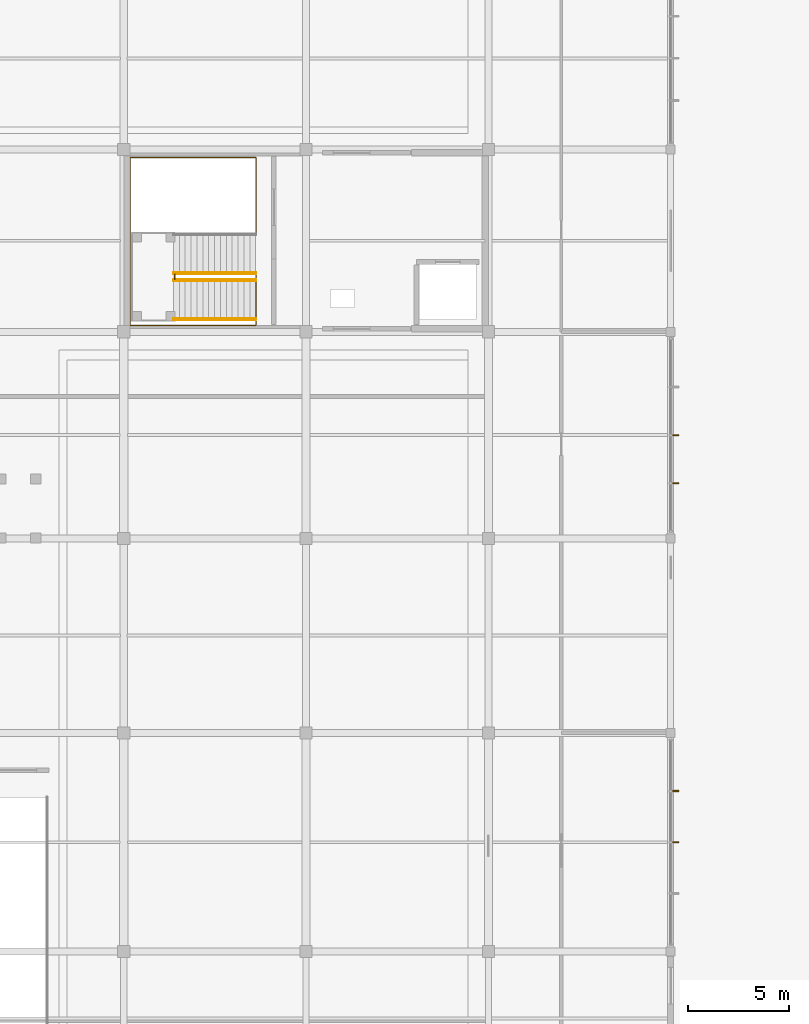
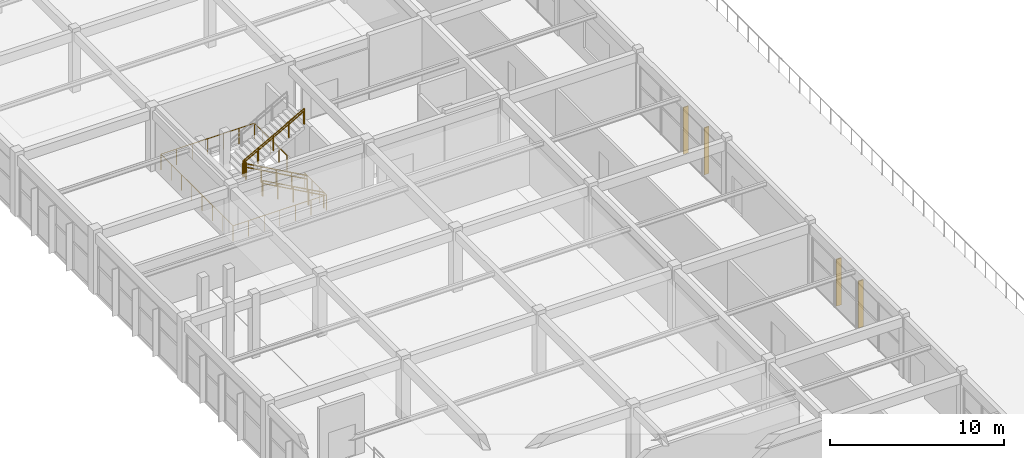
# One storey, part 76 of 89: 8 railings, 4 shading devices.
"""IFC4 building model written with IfcOpenShell, lengths in metres."""

from ifc_helpers import new_model, si_unit, direction, frame, origin, origin_2d, place, context, subcontext, project, spatial, rectangle, circle, extrude, material, type_object, element, save


model = new_model("IFC4")

# Units and contexts
model_context = context("Model", 3, precision=1e-05, world=origin(), true_north=direction((0.0, 1.0)))
body_context = subcontext(model_context, "Body", "Model", "MODEL_VIEW")
ifc_project = project(units=[si_unit("LENGTHUNIT", "METRE"), si_unit("AREAUNIT", "SQUARE_METRE"), si_unit("VOLUMEUNIT", "CUBIC_METRE"), si_unit("PLANEANGLEUNIT", "RADIAN"), si_unit("MASSUNIT", "GRAM", prefix="KILO")], contexts=[model_context])

# Site, building, storey
site_placement = place(None, origin())
site = spatial("IfcSite", under=ifc_project, at=site_placement, CompositionType="ELEMENT")
building_placement = place(site_placement, origin())
building = spatial("IfcBuilding", under=site, at=building_placement, Name="Suirenkawa Promenade Aquatics Centre", CompositionType="ELEMENT")
storey_placement = place(building_placement, frame((0.0, 0.0, 9.60009765625)))
storey = spatial("IfcBuildingStorey", under=building, at=storey_placement, Name="L02", CompositionType="ELEMENT", Elevation=9.60009765625)

# Railings
ifc_material_1 = material(Name="Marine-grade stainless steel Grade 316L", Category="steel")
railing_type_1 = type_object("IfcRailingType", Name="RLT-GUARD-1120", PredefinedType="GUARDRAIL", material=ifc_material_1)
for number, where, name in (
    (1, (15.514892578125, 61.9599609375, 0.0), "Guardrail GRD-01 RL-0081"),
    (2, (15.514892578125, 60.0, 0.0), "Guardrail GRD-01 RL-0083"),
):
    element("IfcRailing", number, at=place(storey_placement, frame(where)), inside=storey, type_object=railing_type_1, Name=name, PredefinedType="GUARDRAIL", context=body_context, shape_type="SweptSolid", body=[
        extrude(circle(Radius=0.02392578125, at=origin_2d()), frame((0.0, 0.0, 1.09619140625), z_axis=(-0.874655505744, 0.0, 0.484745032229), x_axis=(0.0, -1.0, 0.0)), (0.0, 0.0, 1.0), 4.6416015625),
        extrude(circle(Radius=0.02099609375, at=origin_2d()), origin(), (0.0, 0.0, 1.0), 1.072021484375),
        extrude(circle(Radius=0.02099609375, at=origin_2d()), frame((-1.014892578125, 0.0, 0.5625)), (0.0, 0.0, 1.0), 1.072021484375),
        extrude(circle(Radius=0.02099609375, at=origin_2d()), frame((-2.02978515625, 0.0, 1.125)), (0.0, 0.0, 1.0), 1.072021484375),
        extrude(circle(Radius=0.02099609375, at=origin_2d()), frame((-3.044921875, 0.0, 1.6875)), (0.0, 0.0, 1.0), 1.072021484375),
        extrude(circle(Radius=0.02099609375, at=origin_2d()), frame((-4.059814453125, 0.0, 2.25)), (0.0, 0.0, 1.0), 1.072021484375),
    ])
railing_1_placement = place(storey_placement, frame((11.455078125, 62.27001953125, 2.25)))
element("IfcRailing", 3, at=railing_1_placement, inside=storey, type_object=railing_type_1, Name="Guardrail GRD-01 RL-0085", PredefinedType="GUARDRAIL", context=body_context, shape_type="SweptSolid", body=[
    extrude(circle(Radius=0.02392578125, at=origin_2d()), frame((0.0, 0.0, 1.09619140625), z_axis=(0.874655505744, 0.0, 0.484745032229), x_axis=(0.0, 1.0, 0.0)), (0.0, 0.0, 1.0), 4.6416015625),
    extrude(circle(Radius=0.02099609375, at=origin_2d()), origin(), (0.0, 0.0, 1.0), 1.072021484375),
    extrude(circle(Radius=0.02099609375, at=origin_2d()), frame((1.014892578125, 0.0, 0.5625)), (0.0, 0.0, 1.0), 1.072021484375),
    extrude(circle(Radius=0.02099609375, at=origin_2d()), frame((2.02978515625, 0.0, 1.125)), (0.0, 0.0, 1.0), 1.072021484375),
    extrude(circle(Radius=0.02099609375, at=origin_2d()), frame((3.044921875, 0.0, 1.6875)), (0.0, 0.0, 1.0), 1.072021484375),
    extrude(circle(Radius=0.02099609375, at=origin_2d()), frame((4.059814453125, 0.0, 2.25)), (0.0, 0.0, 1.0), 1.072021484375),
])
railing_2_placement = place(storey_placement, frame((11.52001953125, 61.989990234375, 2.25)))
element("IfcRailing", 4, at=railing_2_placement, inside=storey, type_object=railing_type_1, Name="Guardrail GRD-01 RL-0090", PredefinedType="GUARDRAIL", context=body_context, shape_type="SweptSolid", body=[
    extrude(circle(Radius=0.02392578125, at=origin_2d()), frame((0.0, 0.0, 1.09619140625), z_axis=(0.0, 1.0, 0.0), x_axis=(-1.0, 0.0, 0.0)), (0.0, 0.0, 1.0), 0.25),
    extrude(circle(Radius=0.02099609375, at=origin_2d()), origin(), (0.0, 0.0, 1.0), 1.072021484375),
    extrude(circle(Radius=0.02099609375, at=origin_2d()), frame((0.0, 0.25, 0.0)), (0.0, 0.0, 1.0), 1.072021484375),
])
railing_3_placement = place(storey_placement, frame((15.530029296875, 64.260009765625, 0.0)))
element("IfcRailing", 5, at=railing_3_placement, inside=storey, type_object=railing_type_1, Name="Guardrail GRD-01 RL-0409", PredefinedType="GUARDRAIL", context=body_context, shape_type="SweptSolid", body=[
    extrude(circle(Radius=0.02392578125, at=origin_2d()), frame((0.0, 0.0, 1.09619140625), z_axis=(0.0, 1.0, 0.0), x_axis=(-1.0, 0.0, 0.0)), (0.0, 0.0, 1.0), 3.739990234375),
    extrude(circle(Radius=0.02392578125, at=origin_2d()), frame((0.0, 3.739990234375, 1.09619140625), z_axis=(-1.0, 0.0, 0.0), x_axis=(0.0, -1.0, 0.0)), (0.0, 0.0, 1.0), 6.2099609375),
    extrude(circle(Radius=0.02392578125, at=origin_2d()), frame((-6.2099609375, 3.739990234375, 1.09619140625), z_axis=(0.0, -1.0, 0.0), x_axis=(1.0, 0.0, 0.0)), (0.0, 0.0, 1.0), 8.280029296875),
    extrude(circle(Radius=0.02392578125, at=origin_2d()), frame((-6.2099609375, -4.5400390625, 1.09619140625), z_axis=(1.0, 0.0, 0.0), x_axis=(0.0, 1.0, 0.0)), (0.0, 0.0, 1.0), 6.2099609375),
    extrude(circle(Radius=0.02392578125, at=origin_2d()), frame((0.0, -4.5400390625, 1.09619140625), z_axis=(0.0, 1.0, 0.0), x_axis=(-1.0, 0.0, 0.0)), (0.0, 0.0, 1.0), 2.52001953125),
    extrude(circle(Radius=0.02099609375, at=origin_2d()), origin(), (0.0, 0.0, 1.0), 1.072021484375),
    extrude(circle(Radius=0.02099609375, at=origin_2d()), frame((0.0, 0.93505859375, 0.0)), (0.0, 0.0, 1.0), 1.072021484375),
    extrude(circle(Radius=0.02099609375, at=origin_2d()), frame((0.0, 1.8701171875, 0.0)), (0.0, 0.0, 1.0), 1.072021484375),
    extrude(circle(Radius=0.02099609375, at=origin_2d()), frame((0.0, 2.804931640625, 0.0)), (0.0, 0.0, 1.0), 1.072021484375),
    extrude(circle(Radius=0.02099609375, at=origin_2d()), frame((0.0, 3.739990234375, 0.0)), (0.0, 0.0, 1.0), 1.072021484375),
    extrude(circle(Radius=0.02099609375, at=origin_2d()), frame((-1.034912109375, 3.739990234375, 0.0)), (0.0, 0.0, 1.0), 1.072021484375),
    extrude(circle(Radius=0.02099609375, at=origin_2d()), frame((-2.070068359375, 3.739990234375, 0.0)), (0.0, 0.0, 1.0), 1.072021484375),
    extrude(circle(Radius=0.02099609375, at=origin_2d()), frame((-3.10498046875, 3.739990234375, 0.0)), (0.0, 0.0, 1.0), 1.072021484375),
    extrude(circle(Radius=0.02099609375, at=origin_2d()), frame((-4.139892578125, 3.739990234375, 0.0)), (0.0, 0.0, 1.0), 1.072021484375),
    extrude(circle(Radius=0.02099609375, at=origin_2d()), frame((-5.175048828125, 3.739990234375, 0.0)), (0.0, 0.0, 1.0), 1.072021484375),
    extrude(circle(Radius=0.02099609375, at=origin_2d()), frame((-6.2099609375, 3.739990234375, 0.0)), (0.0, 0.0, 1.0), 1.072021484375),
    extrude(circle(Radius=0.02099609375, at=origin_2d()), frame((-6.2099609375, 2.55712890625, 0.0)), (0.0, 0.0, 1.0), 1.072021484375),
    extrude(circle(Radius=0.02099609375, at=origin_2d()), frame((-6.2099609375, 1.374267578125, 0.0)), (0.0, 0.0, 1.0), 1.072021484375),
    extrude(circle(Radius=0.02099609375, at=origin_2d()), frame((-6.2099609375, 0.19140625, 0.0)), (0.0, 0.0, 1.0), 1.072021484375),
    extrude(circle(Radius=0.02099609375, at=origin_2d()), frame((-6.2099609375, -0.991455078125, 0.0)), (0.0, 0.0, 1.0), 1.072021484375),
    extrude(circle(Radius=0.02099609375, at=origin_2d()), frame((-6.2099609375, -2.17431640625, 0.0)), (0.0, 0.0, 1.0), 1.072021484375),
    extrude(circle(Radius=0.02099609375, at=origin_2d()), frame((-6.2099609375, -3.357177734375, 0.0)), (0.0, 0.0, 1.0), 1.072021484375),
    extrude(circle(Radius=0.02099609375, at=origin_2d()), frame((-6.2099609375, -4.5400390625, 0.0)), (0.0, 0.0, 1.0), 1.072021484375),
    extrude(circle(Radius=0.02099609375, at=origin_2d()), frame((-5.175048828125, -4.5400390625, 0.0)), (0.0, 0.0, 1.0), 1.072021484375),
    extrude(circle(Radius=0.02099609375, at=origin_2d()), frame((-4.139892578125, -4.5400390625, 0.0)), (0.0, 0.0, 1.0), 1.072021484375),
    extrude(circle(Radius=0.02099609375, at=origin_2d()), frame((-3.10498046875, -4.5400390625, 0.0)), (0.0, 0.0, 1.0), 1.072021484375),
    extrude(circle(Radius=0.02099609375, at=origin_2d()), frame((-2.070068359375, -4.5400390625, 0.0)), (0.0, 0.0, 1.0), 1.072021484375),
    extrude(circle(Radius=0.02099609375, at=origin_2d()), frame((-1.034912109375, -4.5400390625, 0.0)), (0.0, 0.0, 1.0), 1.072021484375),
    extrude(circle(Radius=0.02099609375, at=origin_2d()), frame((0.0, -4.5400390625, 0.0)), (0.0, 0.0, 1.0), 1.072021484375),
    extrude(circle(Radius=0.02099609375, at=origin_2d()), frame((0.0, -3.699951171875, 0.0)), (0.0, 0.0, 1.0), 1.072021484375),
    extrude(circle(Radius=0.02099609375, at=origin_2d()), frame((0.0, -2.860107421875, 0.0)), (0.0, 0.0, 1.0), 1.072021484375),
    extrude(circle(Radius=0.02099609375, at=origin_2d()), frame((0.0, -2.02001953125, 0.0)), (0.0, 0.0, 1.0), 1.072021484375),
])
railing_type_2 = type_object("IfcRailingType", Name="RLT-HANDRAIL-900", PredefinedType="HANDRAIL", material=ifc_material_1)
for number, where, name in (
    (6, (15.514892578125, 61.909912109375, 0.0), "Handrail HRL-01 RL-0082"),
    (7, (15.514892578125, 60.050048828125, 0.0), "Handrail HRL-01 RL-0084"),
):
    element("IfcRailing", number, at=place(storey_placement, frame(where)), inside=storey, type_object=railing_type_2, Name=name, PredefinedType="HANDRAIL", context=body_context, shape_type="SweptSolid", body=[
        extrude(circle(Radius=0.02392578125, at=origin_2d()), frame((0.0, 0.0, 0.8759765625), z_axis=(-0.874655505744, 0.0, 0.484745032229), x_axis=(0.0, -1.0, 0.0)), (0.0, 0.0, 1.0), 4.6416015625),
        extrude(circle(Radius=0.02099609375, at=origin_2d()), origin(), (0.0, 0.0, 1.0), 0.851806640625),
        extrude(circle(Radius=0.02099609375, at=origin_2d()), frame((-1.014892578125, 0.0, 0.5625)), (0.0, 0.0, 1.0), 0.851806640625),
        extrude(circle(Radius=0.02099609375, at=origin_2d()), frame((-2.02978515625, 0.0, 1.125)), (0.0, 0.0, 1.0), 0.851806640625),
        extrude(circle(Radius=0.02099609375, at=origin_2d()), frame((-3.044921875, 0.0, 1.6875)), (0.0, 0.0, 1.0), 0.851806640625),
        extrude(circle(Radius=0.02099609375, at=origin_2d()), frame((-4.059814453125, 0.0, 2.25)), (0.0, 0.0, 1.0), 0.851806640625),
    ])
railing_4_placement = place(storey_placement, frame((11.455078125, 62.320068359375, 2.25)))
element("IfcRailing", 8, at=railing_4_placement, inside=storey, type_object=railing_type_2, Name="Handrail HRL-01 RL-0086", PredefinedType="HANDRAIL", context=body_context, shape_type="SweptSolid", body=[
    extrude(circle(Radius=0.02392578125, at=origin_2d()), frame((0.0, 0.0, 0.8759765625), z_axis=(0.874655505744, 0.0, 0.484745032229), x_axis=(0.0, 1.0, 0.0)), (0.0, 0.0, 1.0), 4.6416015625),
    extrude(circle(Radius=0.02099609375, at=origin_2d()), origin(), (0.0, 0.0, 1.0), 0.851806640625),
    extrude(circle(Radius=0.02099609375, at=origin_2d()), frame((1.014892578125, 0.0, 0.5625)), (0.0, 0.0, 1.0), 0.851806640625),
    extrude(circle(Radius=0.02099609375, at=origin_2d()), frame((2.02978515625, 0.0, 1.125)), (0.0, 0.0, 1.0), 0.851806640625),
    extrude(circle(Radius=0.02099609375, at=origin_2d()), frame((3.044921875, 0.0, 1.6875)), (0.0, 0.0, 1.0), 0.851806640625),
    extrude(circle(Radius=0.02099609375, at=origin_2d()), frame((4.059814453125, 0.0, 2.25)), (0.0, 0.0, 1.0), 0.851806640625),
])

# Shading devices
ifc_material_2 = material(Name="Anodised aluminium 6063-T6", Category="aluminium")
shading_device_type = type_object("IfcShadingDeviceType", Name="SDT-KOUSHI-320", PredefinedType="USERDEFINED", material=ifc_material_2)
for number, where, z_axis, x_axis, name in (
    (9, (36.23193359375, 36.7255859375, 0.039794921875), (0.0, 0.0, 1.0), (1.0, 0.0, 0.0), "Vertical solar shading fin FN-02 FIN-0157"),
    (10, (36.23193359375, 34.199951171875, 0.039794921875), (0.0, 0.0, 1.0), (1.0, 0.0, 0.0), "Vertical solar shading fin FN-02 FIN-0158"),
    (11, (36.23193359375, 54.300048828125, 0.039794921875), (0.0, 0.0, 1.0), (1.0, 0.0, 0.0), "Vertical solar shading fin FN-02 FIN-0167"),
    (12, (36.23193359375, 51.924560546875, 0.039794921875), (0.0, 0.0, 1.0), (1.0, 0.0, 0.0), "Vertical solar shading fin FN-02 FIN-0168"),
):
    element("IfcShadingDevice", number, at=place(storey_placement, frame(where, z_axis=z_axis, x_axis=x_axis)), inside=storey, type_object=shading_device_type, Name=name, ObjectType="FIN", PredefinedType="USERDEFINED", context=body_context, shape_type="SweptSolid", body=[
        extrude(rectangle(XDim=0.320068359375, YDim=0.06005859375, at=origin_2d()), origin(), (0.0, 0.0, 1.0), 3.2900390625),
    ])

save(model, "model.ifc")
